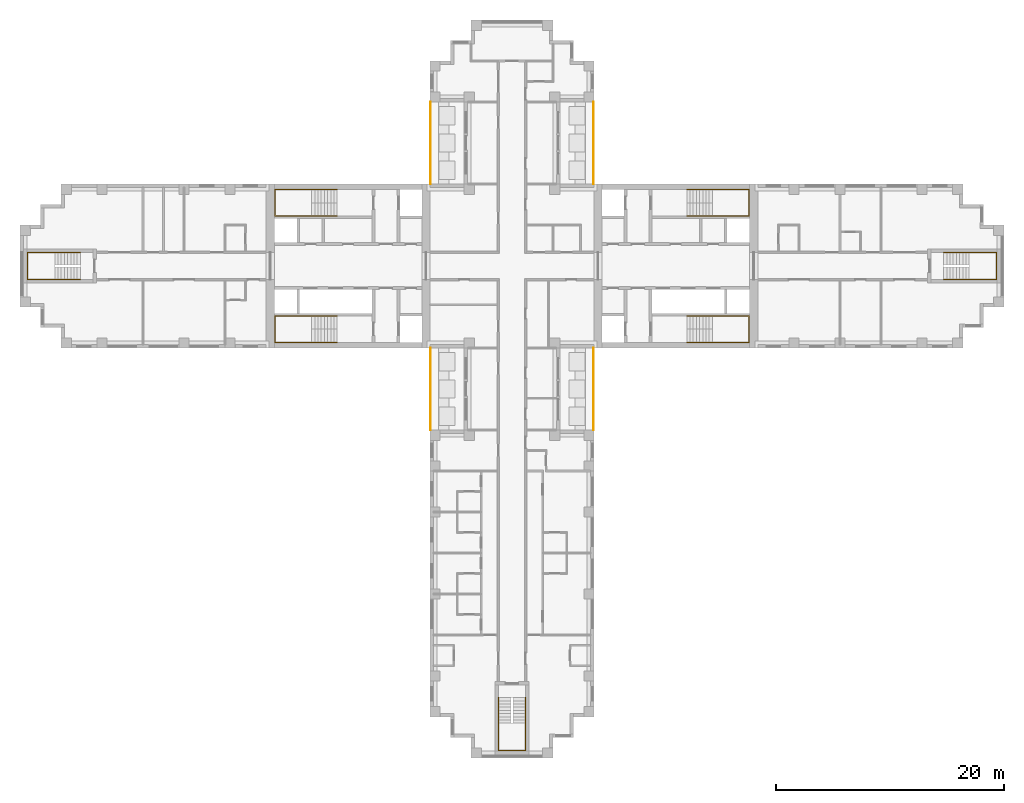
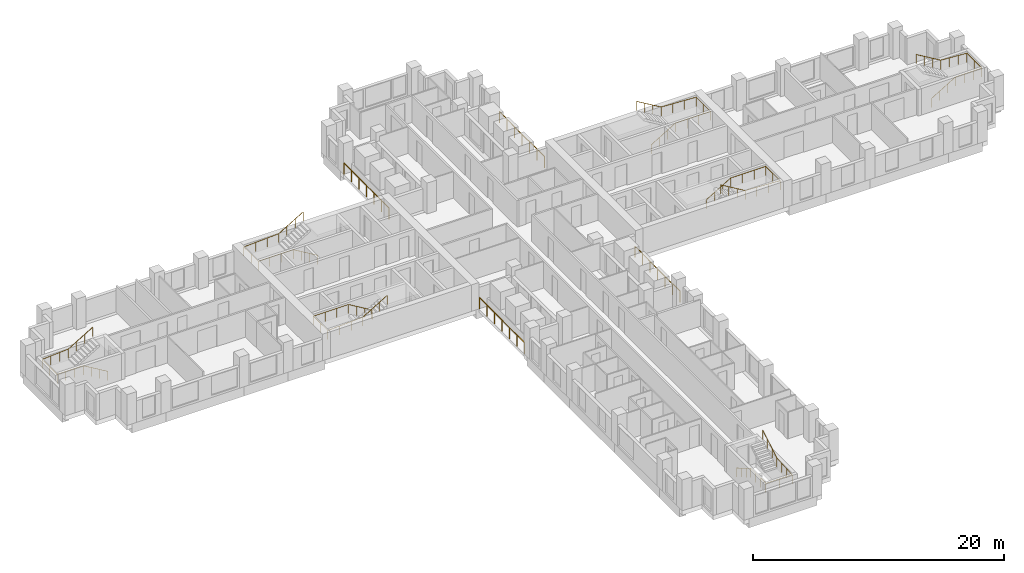
# One storey, part 12 of 13: 11 railings.
"""IFC4 building model written with IfcOpenShell, lengths in metres."""

from ifc_helpers import new_model, si_unit, direction, frame, origin, origin_2d, place, context, subcontext, project, spatial, circle, extrude, material, type_object, element, save


model = new_model("IFC4")

# Units and contexts
model_context = context("Model", 3, precision=1e-05, world=origin(), true_north=direction((0.0, 1.0)))
body_context = subcontext(model_context, "Body", "Model", "MODEL_VIEW")
ifc_project = project(units=[si_unit("LENGTHUNIT", "METRE"), si_unit("AREAUNIT", "SQUARE_METRE"), si_unit("VOLUMEUNIT", "CUBIC_METRE"), si_unit("PLANEANGLEUNIT", "RADIAN"), si_unit("MASSUNIT", "GRAM", prefix="KILO")], contexts=[model_context])

# Site, building, storey
site_placement = place(None, origin())
site = spatial("IfcSite", under=ifc_project, at=site_placement, CompositionType="ELEMENT")
building_placement = place(site_placement, origin())
building = spatial("IfcBuilding", under=site, at=building_placement, Name="Fustian Cross Tower", CompositionType="ELEMENT")
storey_placement = place(building_placement, frame((0.0, 0.0, 84.89990234375)))
storey = spatial("IfcBuildingStorey", under=building, at=storey_placement, Name="L26", CompositionType="ELEMENT", Elevation=84.89990234375)

# Railings
ifc_material_1 = material(Name="Stainless steel and glass", Category="steel")
railing_type_1 = type_object("IfcRailingType", Name="GR1 BALCONY GUARD 1100", PredefinedType="GUARDRAIL", material=ifc_material_1)
for number, where, name in (
    (1, (7.14990234375, 7.199951171875, 0.0), "Balcony guard"),
    (2, (-7.14990234375, 7.199951171875, 0.0), "Balcony guard"),
    (3, (7.14990234375, -14.39990234375, 0.0), "Balcony guard"),
    (4, (-7.14990234375, -14.39990234375, 0.0), "Balcony guard"),
):
    element("IfcRailing", number, at=place(storey_placement, frame(where)), inside=storey, type_object=railing_type_1, Name=name, PredefinedType="GUARDRAIL", context=body_context, shape_type="SweptSolid", body=[
        extrude(circle(Radius=0.02392578125, at=origin_2d()), frame((0.0, 0.0, 1.076171875), z_axis=(0.0, 1.0, 0.0), x_axis=(-1.0, 0.0, 0.0)), (0.0, 0.0, 1.0), 7.199951171875),
        extrude(circle(Radius=0.02099609375, at=origin_2d()), origin(), (0.0, 0.0, 1.0), 1.052001953125),
        extrude(circle(Radius=0.02099609375, at=origin_2d()), frame((0.0, 1.199951171875, 0.0)), (0.0, 0.0, 1.0), 1.052001953125),
        extrude(circle(Radius=0.02099609375, at=origin_2d()), frame((0.0, 2.39990234375, 0.0)), (0.0, 0.0, 1.0), 1.052001953125),
        extrude(circle(Radius=0.02099609375, at=origin_2d()), frame((0.0, 3.60009765625, 0.0)), (0.0, 0.0, 1.0), 1.052001953125),
        extrude(circle(Radius=0.02099609375, at=origin_2d()), frame((0.0, 4.800048828125, 0.0)), (0.0, 0.0, 1.0), 1.052001953125),
        extrude(circle(Radius=0.02099609375, at=origin_2d()), frame((0.0, 6.0, 0.0)), (0.0, 0.0, 1.0), 1.052001953125),
        extrude(circle(Radius=0.02099609375, at=origin_2d()), frame((0.0, 7.199951171875, 0.0)), (0.0, 0.0, 1.0), 1.052001953125),
    ])
ifc_material_2 = material(Name="Stainless steel", Category="steel")
railing_type_2 = type_object("IfcRailingType", Name="STAIR HANDRAIL", PredefinedType="HANDRAIL", material=ifc_material_2)
railing_1_placement = place(storey_placement, frame((15.35009765625, 4.39990234375, 0.166748046875)))
element("IfcRailing", 5, at=railing_1_placement, inside=storey, type_object=railing_type_2, Name="Stair ST1 handrail 1", PredefinedType="HANDRAIL", context=body_context, shape_type="SweptSolid", body=[
    extrude(circle(Radius=0.02490234375, at=origin_2d()), frame((0.0, 0.0, 0.875), z_axis=(0.859305625298, 0.0, 0.511462454469), x_axis=(0.0, 1.0, 0.0)), (0.0, 0.0, 1.0), 2.606689453125),
    extrude(circle(Radius=0.02490234375, at=origin_2d()), frame((2.239990234375, 0.0, 2.2080078125), z_axis=(1.0, 0.0, 0.0), x_axis=(0.0, 1.0, 0.0)), (0.0, 0.0, 1.0), 3.219970703125),
    extrude(circle(Radius=0.02490234375, at=origin_2d()), frame((5.4599609375, 0.0, 2.2080078125), z_axis=(0.0, 1.0, 0.0), x_axis=(-1.0, 0.0, 0.0)), (0.0, 0.0, 1.0), 2.300048828125),
    extrude(circle(Radius=0.02490234375, at=origin_2d()), frame((5.4599609375, 2.300048828125, 2.2080078125), z_axis=(-0.998661817807, 0.0, 0.051716280352), x_axis=(0.0, -1.0, 0.0)), (0.0, 0.0, 1.0), 3.224365234375),
    extrude(circle(Radius=0.02490234375, at=origin_2d()), frame((2.239990234375, 2.300048828125, 2.375), z_axis=(-0.859305625298, 0.0, 0.511462454469), x_axis=(0.0, -1.0, 0.0)), (0.0, 0.0, 1.0), 2.606689453125),
    extrude(circle(Radius=0.02001953125, at=origin_2d()), origin(), (0.0, 0.0, 1.0), 0.849853515625),
    extrude(circle(Radius=0.02001953125, at=origin_2d()), frame((0.74658203125, 0.0, 0.4443359375)), (0.0, 0.0, 1.0), 0.849853515625),
    extrude(circle(Radius=0.02001953125, at=origin_2d()), frame((1.493408203125, 0.0, 0.888916015625)), (0.0, 0.0, 1.0), 0.849853515625),
    extrude(circle(Radius=0.02001953125, at=origin_2d()), frame((2.239990234375, 0.0, 1.333251953125)), (0.0, 0.0, 1.0), 0.849853515625),
    extrude(circle(Radius=0.02001953125, at=origin_2d()), frame((3.313232421875, 0.0, 1.333251953125)), (0.0, 0.0, 1.0), 0.849853515625),
    extrude(circle(Radius=0.02001953125, at=origin_2d()), frame((4.38671875, 0.0, 1.333251953125)), (0.0, 0.0, 1.0), 0.849853515625),
    extrude(circle(Radius=0.02001953125, at=origin_2d()), frame((5.4599609375, 0.0, 1.333251953125)), (0.0, 0.0, 1.0), 0.849853515625),
    extrude(circle(Radius=0.02001953125, at=origin_2d()), frame((5.4599609375, 1.14990234375, 1.333251953125)), (0.0, 0.0, 1.0), 0.849853515625),
    extrude(circle(Radius=0.02001953125, at=origin_2d()), frame((5.4599609375, 2.300048828125, 1.333251953125)), (0.0, 0.0, 1.0), 0.849853515625),
    extrude(circle(Radius=0.02001953125, at=origin_2d()), frame((4.38671875, 2.300048828125, 1.388916015625)), (0.0, 0.0, 1.0), 0.849853515625),
    extrude(circle(Radius=0.02001953125, at=origin_2d()), frame((3.313232421875, 2.300048828125, 1.4443359375)), (0.0, 0.0, 1.0), 0.849853515625),
    extrude(circle(Radius=0.02001953125, at=origin_2d()), frame((2.239990234375, 2.300048828125, 1.5)), (0.0, 0.0, 1.0), 0.849853515625),
    extrude(circle(Radius=0.02001953125, at=origin_2d()), frame((1.493408203125, 2.300048828125, 1.9443359375)), (0.0, 0.0, 1.0), 0.849853515625),
    extrude(circle(Radius=0.02001953125, at=origin_2d()), frame((0.74658203125, 2.300048828125, 2.388916015625)), (0.0, 0.0, 1.0), 0.849853515625),
    extrude(circle(Radius=0.02001953125, at=origin_2d()), frame((0.0, 2.300048828125, 2.833251953125)), (0.0, 0.0, 1.0), 0.849853515625),
])
railing_2_placement = place(storey_placement, frame((15.35009765625, -4.39990234375, 0.166748046875)))
element("IfcRailing", 6, at=railing_2_placement, inside=storey, type_object=railing_type_2, Name="Stair ST2 handrail 1", PredefinedType="HANDRAIL", context=body_context, shape_type="SweptSolid", body=[
    extrude(circle(Radius=0.02490234375, at=origin_2d()), frame((0.0, 0.0, 0.875), z_axis=(0.859305625298, 0.0, 0.511462454469), x_axis=(0.0, 1.0, 0.0)), (0.0, 0.0, 1.0), 2.606689453125),
    extrude(circle(Radius=0.02490234375, at=origin_2d()), frame((2.239990234375, 0.0, 2.2080078125), z_axis=(1.0, 0.0, 0.0), x_axis=(0.0, 1.0, 0.0)), (0.0, 0.0, 1.0), 3.219970703125),
    extrude(circle(Radius=0.02490234375, at=origin_2d()), frame((5.4599609375, 0.0, 2.2080078125), z_axis=(0.0, -1.0, 0.0), x_axis=(1.0, 0.0, 0.0)), (0.0, 0.0, 1.0), 2.300048828125),
    extrude(circle(Radius=0.02490234375, at=origin_2d()), frame((5.4599609375, -2.300048828125, 2.2080078125), z_axis=(-0.998661817807, 0.0, 0.051716280352), x_axis=(0.0, -1.0, 0.0)), (0.0, 0.0, 1.0), 3.224365234375),
    extrude(circle(Radius=0.02490234375, at=origin_2d()), frame((2.239990234375, -2.300048828125, 2.375), z_axis=(-0.859305625298, 0.0, 0.511462454469), x_axis=(0.0, -1.0, 0.0)), (0.0, 0.0, 1.0), 2.606689453125),
    extrude(circle(Radius=0.02001953125, at=origin_2d()), origin(), (0.0, 0.0, 1.0), 0.849853515625),
    extrude(circle(Radius=0.02001953125, at=origin_2d()), frame((0.74658203125, 0.0, 0.4443359375)), (0.0, 0.0, 1.0), 0.849853515625),
    extrude(circle(Radius=0.02001953125, at=origin_2d()), frame((1.493408203125, 0.0, 0.888916015625)), (0.0, 0.0, 1.0), 0.849853515625),
    extrude(circle(Radius=0.02001953125, at=origin_2d()), frame((2.239990234375, 0.0, 1.333251953125)), (0.0, 0.0, 1.0), 0.849853515625),
    extrude(circle(Radius=0.02001953125, at=origin_2d()), frame((3.313232421875, 0.0, 1.333251953125)), (0.0, 0.0, 1.0), 0.849853515625),
    extrude(circle(Radius=0.02001953125, at=origin_2d()), frame((4.38671875, 0.0, 1.333251953125)), (0.0, 0.0, 1.0), 0.849853515625),
    extrude(circle(Radius=0.02001953125, at=origin_2d()), frame((5.4599609375, 0.0, 1.333251953125)), (0.0, 0.0, 1.0), 0.849853515625),
    extrude(circle(Radius=0.02001953125, at=origin_2d()), frame((5.4599609375, -1.14990234375, 1.333251953125)), (0.0, 0.0, 1.0), 0.849853515625),
    extrude(circle(Radius=0.02001953125, at=origin_2d()), frame((5.4599609375, -2.300048828125, 1.333251953125)), (0.0, 0.0, 1.0), 0.849853515625),
    extrude(circle(Radius=0.02001953125, at=origin_2d()), frame((4.38671875, -2.300048828125, 1.388916015625)), (0.0, 0.0, 1.0), 0.849853515625),
    extrude(circle(Radius=0.02001953125, at=origin_2d()), frame((3.313232421875, -2.300048828125, 1.4443359375)), (0.0, 0.0, 1.0), 0.849853515625),
    extrude(circle(Radius=0.02001953125, at=origin_2d()), frame((2.239990234375, -2.300048828125, 1.5)), (0.0, 0.0, 1.0), 0.849853515625),
    extrude(circle(Radius=0.02001953125, at=origin_2d()), frame((1.493408203125, -2.300048828125, 1.9443359375)), (0.0, 0.0, 1.0), 0.849853515625),
    extrude(circle(Radius=0.02001953125, at=origin_2d()), frame((0.74658203125, -2.300048828125, 2.388916015625)), (0.0, 0.0, 1.0), 0.849853515625),
    extrude(circle(Radius=0.02001953125, at=origin_2d()), frame((0.0, -2.300048828125, 2.833251953125)), (0.0, 0.0, 1.0), 0.849853515625),
])
railing_3_placement = place(storey_placement, frame((-15.35009765625, 4.39990234375, 0.166748046875)))
element("IfcRailing", 7, at=railing_3_placement, inside=storey, type_object=railing_type_2, Name="Stair ST3 handrail 1", PredefinedType="HANDRAIL", context=body_context, shape_type="SweptSolid", body=[
    extrude(circle(Radius=0.02490234375, at=origin_2d()), frame((0.0, 0.0, 0.875), z_axis=(-0.859305625298, 0.0, 0.511462454469), x_axis=(0.0, -1.0, 0.0)), (0.0, 0.0, 1.0), 2.606689453125),
    extrude(circle(Radius=0.02490234375, at=origin_2d()), frame((-2.239990234375, 0.0, 2.2080078125), z_axis=(-1.0, 0.0, 0.0), x_axis=(0.0, -1.0, 0.0)), (0.0, 0.0, 1.0), 3.219970703125),
    extrude(circle(Radius=0.02490234375, at=origin_2d()), frame((-5.4599609375, 0.0, 2.2080078125), z_axis=(0.0, 1.0, 0.0), x_axis=(-1.0, 0.0, 0.0)), (0.0, 0.0, 1.0), 2.300048828125),
    extrude(circle(Radius=0.02490234375, at=origin_2d()), frame((-5.4599609375, 2.300048828125, 2.2080078125), z_axis=(0.998661817807, 0.0, 0.051716280352), x_axis=(0.0, 1.0, 0.0)), (0.0, 0.0, 1.0), 3.224365234375),
    extrude(circle(Radius=0.02490234375, at=origin_2d()), frame((-2.239990234375, 2.300048828125, 2.375), z_axis=(0.859305625298, 0.0, 0.511462454469), x_axis=(0.0, 1.0, 0.0)), (0.0, 0.0, 1.0), 2.606689453125),
    extrude(circle(Radius=0.02001953125, at=origin_2d()), origin(), (0.0, 0.0, 1.0), 0.849853515625),
    extrude(circle(Radius=0.02001953125, at=origin_2d()), frame((-0.74658203125, 0.0, 0.4443359375)), (0.0, 0.0, 1.0), 0.849853515625),
    extrude(circle(Radius=0.02001953125, at=origin_2d()), frame((-1.493408203125, 0.0, 0.888916015625)), (0.0, 0.0, 1.0), 0.849853515625),
    extrude(circle(Radius=0.02001953125, at=origin_2d()), frame((-2.239990234375, 0.0, 1.333251953125)), (0.0, 0.0, 1.0), 0.849853515625),
    extrude(circle(Radius=0.02001953125, at=origin_2d()), frame((-3.313232421875, 0.0, 1.333251953125)), (0.0, 0.0, 1.0), 0.849853515625),
    extrude(circle(Radius=0.02001953125, at=origin_2d()), frame((-4.38671875, 0.0, 1.333251953125)), (0.0, 0.0, 1.0), 0.849853515625),
    extrude(circle(Radius=0.02001953125, at=origin_2d()), frame((-5.4599609375, 0.0, 1.333251953125)), (0.0, 0.0, 1.0), 0.849853515625),
    extrude(circle(Radius=0.02001953125, at=origin_2d()), frame((-5.4599609375, 1.14990234375, 1.333251953125)), (0.0, 0.0, 1.0), 0.849853515625),
    extrude(circle(Radius=0.02001953125, at=origin_2d()), frame((-5.4599609375, 2.300048828125, 1.333251953125)), (0.0, 0.0, 1.0), 0.849853515625),
    extrude(circle(Radius=0.02001953125, at=origin_2d()), frame((-4.38671875, 2.300048828125, 1.388916015625)), (0.0, 0.0, 1.0), 0.849853515625),
    extrude(circle(Radius=0.02001953125, at=origin_2d()), frame((-3.313232421875, 2.300048828125, 1.4443359375)), (0.0, 0.0, 1.0), 0.849853515625),
    extrude(circle(Radius=0.02001953125, at=origin_2d()), frame((-2.239990234375, 2.300048828125, 1.5)), (0.0, 0.0, 1.0), 0.849853515625),
    extrude(circle(Radius=0.02001953125, at=origin_2d()), frame((-1.493408203125, 2.300048828125, 1.9443359375)), (0.0, 0.0, 1.0), 0.849853515625),
    extrude(circle(Radius=0.02001953125, at=origin_2d()), frame((-0.74658203125, 2.300048828125, 2.388916015625)), (0.0, 0.0, 1.0), 0.849853515625),
    extrude(circle(Radius=0.02001953125, at=origin_2d()), frame((0.0, 2.300048828125, 2.833251953125)), (0.0, 0.0, 1.0), 0.849853515625),
])
railing_4_placement = place(storey_placement, frame((-15.35009765625, -4.39990234375, 0.166748046875)))
element("IfcRailing", 8, at=railing_4_placement, inside=storey, type_object=railing_type_2, Name="Stair ST4 handrail 1", PredefinedType="HANDRAIL", context=body_context, shape_type="SweptSolid", body=[
    extrude(circle(Radius=0.02490234375, at=origin_2d()), frame((0.0, 0.0, 0.875), z_axis=(-0.859305625298, 0.0, 0.511462454469), x_axis=(0.0, -1.0, 0.0)), (0.0, 0.0, 1.0), 2.606689453125),
    extrude(circle(Radius=0.02490234375, at=origin_2d()), frame((-2.239990234375, 0.0, 2.2080078125), z_axis=(-1.0, 0.0, 0.0), x_axis=(0.0, -1.0, 0.0)), (0.0, 0.0, 1.0), 3.219970703125),
    extrude(circle(Radius=0.02490234375, at=origin_2d()), frame((-5.4599609375, 0.0, 2.2080078125), z_axis=(0.0, -1.0, 0.0), x_axis=(1.0, 0.0, 0.0)), (0.0, 0.0, 1.0), 2.300048828125),
    extrude(circle(Radius=0.02490234375, at=origin_2d()), frame((-5.4599609375, -2.300048828125, 2.2080078125), z_axis=(0.998661817807, 0.0, 0.051716280352), x_axis=(0.0, 1.0, 0.0)), (0.0, 0.0, 1.0), 3.224365234375),
    extrude(circle(Radius=0.02490234375, at=origin_2d()), frame((-2.239990234375, -2.300048828125, 2.375), z_axis=(0.859305625298, 0.0, 0.511462454469), x_axis=(0.0, 1.0, 0.0)), (0.0, 0.0, 1.0), 2.606689453125),
    extrude(circle(Radius=0.02001953125, at=origin_2d()), origin(), (0.0, 0.0, 1.0), 0.849853515625),
    extrude(circle(Radius=0.02001953125, at=origin_2d()), frame((-0.74658203125, 0.0, 0.4443359375)), (0.0, 0.0, 1.0), 0.849853515625),
    extrude(circle(Radius=0.02001953125, at=origin_2d()), frame((-1.493408203125, 0.0, 0.888916015625)), (0.0, 0.0, 1.0), 0.849853515625),
    extrude(circle(Radius=0.02001953125, at=origin_2d()), frame((-2.239990234375, 0.0, 1.333251953125)), (0.0, 0.0, 1.0), 0.849853515625),
    extrude(circle(Radius=0.02001953125, at=origin_2d()), frame((-3.313232421875, 0.0, 1.333251953125)), (0.0, 0.0, 1.0), 0.849853515625),
    extrude(circle(Radius=0.02001953125, at=origin_2d()), frame((-4.38671875, 0.0, 1.333251953125)), (0.0, 0.0, 1.0), 0.849853515625),
    extrude(circle(Radius=0.02001953125, at=origin_2d()), frame((-5.4599609375, 0.0, 1.333251953125)), (0.0, 0.0, 1.0), 0.849853515625),
    extrude(circle(Radius=0.02001953125, at=origin_2d()), frame((-5.4599609375, -1.14990234375, 1.333251953125)), (0.0, 0.0, 1.0), 0.849853515625),
    extrude(circle(Radius=0.02001953125, at=origin_2d()), frame((-5.4599609375, -2.300048828125, 1.333251953125)), (0.0, 0.0, 1.0), 0.849853515625),
    extrude(circle(Radius=0.02001953125, at=origin_2d()), frame((-4.38671875, -2.300048828125, 1.388916015625)), (0.0, 0.0, 1.0), 0.849853515625),
    extrude(circle(Radius=0.02001953125, at=origin_2d()), frame((-3.313232421875, -2.300048828125, 1.4443359375)), (0.0, 0.0, 1.0), 0.849853515625),
    extrude(circle(Radius=0.02001953125, at=origin_2d()), frame((-2.239990234375, -2.300048828125, 1.5)), (0.0, 0.0, 1.0), 0.849853515625),
    extrude(circle(Radius=0.02001953125, at=origin_2d()), frame((-1.493408203125, -2.300048828125, 1.9443359375)), (0.0, 0.0, 1.0), 0.849853515625),
    extrude(circle(Radius=0.02001953125, at=origin_2d()), frame((-0.74658203125, -2.300048828125, 2.388916015625)), (0.0, 0.0, 1.0), 0.849853515625),
    extrude(circle(Radius=0.02001953125, at=origin_2d()), frame((0.0, -2.300048828125, 2.833251953125)), (0.0, 0.0, 1.0), 0.849853515625),
])
railing_5_placement = place(storey_placement, frame((-1.199951171875, -37.89990234375, 0.166748046875)))
element("IfcRailing", 9, at=railing_5_placement, inside=storey, type_object=railing_type_2, Name="Stair ST6 handrail 1", PredefinedType="HANDRAIL", context=body_context, shape_type="SweptSolid", body=[
    extrude(circle(Radius=0.02490234375, at=origin_2d()), frame((0.0, 0.0, 0.875), z_axis=(0.0, -0.859305625298, 0.511462454469), x_axis=(1.0, 0.0, 0.0)), (0.0, 0.0, 1.0), 2.606689453125),
    extrude(circle(Radius=0.02490234375, at=origin_2d()), frame((0.0, -2.239990234375, 2.2080078125), z_axis=(0.0, -1.0, 0.0), x_axis=(1.0, 0.0, 0.0)), (0.0, 0.0, 1.0), 2.420166015625),
    extrude(circle(Radius=0.02490234375, at=origin_2d()), frame((0.0, -4.66015625, 2.2080078125), z_axis=(1.0, 0.0, 0.0), x_axis=(0.0, 1.0, 0.0)), (0.0, 0.0, 1.0), 2.39990234375),
    extrude(circle(Radius=0.02490234375, at=origin_2d()), frame((2.39990234375, -4.66015625, 2.2080078125), z_axis=(0.0, 0.997634852044, 0.068736467663), x_axis=(-1.0, 0.0, 0.0)), (0.0, 0.0, 1.0), 2.426025390625),
    extrude(circle(Radius=0.02490234375, at=origin_2d()), frame((2.39990234375, -2.239990234375, 2.375), z_axis=(0.0, 0.859305625298, 0.511462454469), x_axis=(-1.0, 0.0, 0.0)), (0.0, 0.0, 1.0), 2.606689453125),
    extrude(circle(Radius=0.02001953125, at=origin_2d()), origin(), (0.0, 0.0, 1.0), 0.849853515625),
    extrude(circle(Radius=0.02001953125, at=origin_2d()), frame((0.0, -0.74658203125, 0.4443359375)), (0.0, 0.0, 1.0), 0.849853515625),
    extrude(circle(Radius=0.02001953125, at=origin_2d()), frame((0.0, -1.493408203125, 0.888916015625)), (0.0, 0.0, 1.0), 0.849853515625),
    extrude(circle(Radius=0.02001953125, at=origin_2d()), frame((0.0, -2.239990234375, 1.333251953125)), (0.0, 0.0, 1.0), 0.849853515625),
    extrude(circle(Radius=0.02001953125, at=origin_2d()), frame((0.0, -3.046630859375, 1.333251953125)), (0.0, 0.0, 1.0), 0.849853515625),
    extrude(circle(Radius=0.02001953125, at=origin_2d()), frame((0.0, -3.853515625, 1.333251953125)), (0.0, 0.0, 1.0), 0.849853515625),
    extrude(circle(Radius=0.02001953125, at=origin_2d()), frame((0.0, -4.66015625, 1.333251953125)), (0.0, 0.0, 1.0), 0.849853515625),
    extrude(circle(Radius=0.02001953125, at=origin_2d()), frame((1.199951171875, -4.66015625, 1.333251953125)), (0.0, 0.0, 1.0), 0.849853515625),
    extrude(circle(Radius=0.02001953125, at=origin_2d()), frame((2.39990234375, -4.66015625, 1.333251953125)), (0.0, 0.0, 1.0), 0.849853515625),
    extrude(circle(Radius=0.02001953125, at=origin_2d()), frame((2.39990234375, -3.853515625, 1.388916015625)), (0.0, 0.0, 1.0), 0.849853515625),
    extrude(circle(Radius=0.02001953125, at=origin_2d()), frame((2.39990234375, -3.046630859375, 1.4443359375)), (0.0, 0.0, 1.0), 0.849853515625),
    extrude(circle(Radius=0.02001953125, at=origin_2d()), frame((2.39990234375, -2.239990234375, 1.5)), (0.0, 0.0, 1.0), 0.849853515625),
    extrude(circle(Radius=0.02001953125, at=origin_2d()), frame((2.39990234375, -1.493408203125, 1.9443359375)), (0.0, 0.0, 1.0), 0.849853515625),
    extrude(circle(Radius=0.02001953125, at=origin_2d()), frame((2.39990234375, -0.74658203125, 2.388916015625)), (0.0, 0.0, 1.0), 0.849853515625),
    extrude(circle(Radius=0.02001953125, at=origin_2d()), frame((2.39990234375, 0.0, 2.833251953125)), (0.0, 0.0, 1.0), 0.849853515625),
])
railing_6_placement = place(storey_placement, frame((37.89990234375, -1.199951171875, 0.166748046875)))
element("IfcRailing", 10, at=railing_6_placement, inside=storey, type_object=railing_type_2, Name="Stair ST8 handrail 1", PredefinedType="HANDRAIL", context=body_context, shape_type="SweptSolid", body=[
    extrude(circle(Radius=0.02490234375, at=origin_2d()), frame((0.0, 0.0, 0.875), z_axis=(0.859305625298, 0.0, 0.511462454469), x_axis=(0.0, 1.0, 0.0)), (0.0, 0.0, 1.0), 2.606689453125),
    extrude(circle(Radius=0.02490234375, at=origin_2d()), frame((2.239990234375, 0.0, 2.2080078125), z_axis=(1.0, 0.0, 0.0), x_axis=(0.0, 1.0, 0.0)), (0.0, 0.0, 1.0), 2.420166015625),
    extrude(circle(Radius=0.02490234375, at=origin_2d()), frame((4.66015625, 0.0, 2.2080078125), z_axis=(0.0, 1.0, 0.0), x_axis=(-1.0, 0.0, 0.0)), (0.0, 0.0, 1.0), 2.39990234375),
    extrude(circle(Radius=0.02490234375, at=origin_2d()), frame((4.66015625, 2.39990234375, 2.2080078125), z_axis=(-0.997634852044, 0.0, 0.068736467663), x_axis=(0.0, -1.0, 0.0)), (0.0, 0.0, 1.0), 2.426025390625),
    extrude(circle(Radius=0.02490234375, at=origin_2d()), frame((2.239990234375, 2.39990234375, 2.375), z_axis=(-0.859305625298, 0.0, 0.511462454469), x_axis=(0.0, -1.0, 0.0)), (0.0, 0.0, 1.0), 2.606689453125),
    extrude(circle(Radius=0.02001953125, at=origin_2d()), origin(), (0.0, 0.0, 1.0), 0.849853515625),
    extrude(circle(Radius=0.02001953125, at=origin_2d()), frame((0.74658203125, 0.0, 0.4443359375)), (0.0, 0.0, 1.0), 0.849853515625),
    extrude(circle(Radius=0.02001953125, at=origin_2d()), frame((1.493408203125, 0.0, 0.888916015625)), (0.0, 0.0, 1.0), 0.849853515625),
    extrude(circle(Radius=0.02001953125, at=origin_2d()), frame((2.239990234375, 0.0, 1.333251953125)), (0.0, 0.0, 1.0), 0.849853515625),
    extrude(circle(Radius=0.02001953125, at=origin_2d()), frame((3.046630859375, 0.0, 1.333251953125)), (0.0, 0.0, 1.0), 0.849853515625),
    extrude(circle(Radius=0.02001953125, at=origin_2d()), frame((3.853515625, 0.0, 1.333251953125)), (0.0, 0.0, 1.0), 0.849853515625),
    extrude(circle(Radius=0.02001953125, at=origin_2d()), frame((4.66015625, 0.0, 1.333251953125)), (0.0, 0.0, 1.0), 0.849853515625),
    extrude(circle(Radius=0.02001953125, at=origin_2d()), frame((4.66015625, 1.199951171875, 1.333251953125)), (0.0, 0.0, 1.0), 0.849853515625),
    extrude(circle(Radius=0.02001953125, at=origin_2d()), frame((4.66015625, 2.39990234375, 1.333251953125)), (0.0, 0.0, 1.0), 0.849853515625),
    extrude(circle(Radius=0.02001953125, at=origin_2d()), frame((3.853515625, 2.39990234375, 1.388916015625)), (0.0, 0.0, 1.0), 0.849853515625),
    extrude(circle(Radius=0.02001953125, at=origin_2d()), frame((3.046630859375, 2.39990234375, 1.4443359375)), (0.0, 0.0, 1.0), 0.849853515625),
    extrude(circle(Radius=0.02001953125, at=origin_2d()), frame((2.239990234375, 2.39990234375, 1.5)), (0.0, 0.0, 1.0), 0.849853515625),
    extrude(circle(Radius=0.02001953125, at=origin_2d()), frame((1.493408203125, 2.39990234375, 1.9443359375)), (0.0, 0.0, 1.0), 0.849853515625),
    extrude(circle(Radius=0.02001953125, at=origin_2d()), frame((0.74658203125, 2.39990234375, 2.388916015625)), (0.0, 0.0, 1.0), 0.849853515625),
    extrude(circle(Radius=0.02001953125, at=origin_2d()), frame((0.0, 2.39990234375, 2.833251953125)), (0.0, 0.0, 1.0), 0.849853515625),
])
railing_7_placement = place(storey_placement, frame((-37.89990234375, -1.199951171875, 0.166748046875)))
element("IfcRailing", 11, at=railing_7_placement, inside=storey, type_object=railing_type_2, Name="Stair ST9 handrail 1", PredefinedType="HANDRAIL", context=body_context, shape_type="SweptSolid", body=[
    extrude(circle(Radius=0.02490234375, at=origin_2d()), frame((0.0, 0.0, 0.875), z_axis=(-0.859305625298, 0.0, 0.511462454469), x_axis=(0.0, -1.0, 0.0)), (0.0, 0.0, 1.0), 2.606689453125),
    extrude(circle(Radius=0.02490234375, at=origin_2d()), frame((-2.239990234375, 0.0, 2.2080078125), z_axis=(-1.0, 0.0, 0.0), x_axis=(0.0, -1.0, 0.0)), (0.0, 0.0, 1.0), 2.420166015625),
    extrude(circle(Radius=0.02490234375, at=origin_2d()), frame((-4.66015625, 0.0, 2.2080078125), z_axis=(0.0, 1.0, 0.0), x_axis=(-1.0, 0.0, 0.0)), (0.0, 0.0, 1.0), 2.39990234375),
    extrude(circle(Radius=0.02490234375, at=origin_2d()), frame((-4.66015625, 2.39990234375, 2.2080078125), z_axis=(0.997634852044, 0.0, 0.068736467663), x_axis=(0.0, 1.0, 0.0)), (0.0, 0.0, 1.0), 2.426025390625),
    extrude(circle(Radius=0.02490234375, at=origin_2d()), frame((-2.239990234375, 2.39990234375, 2.375), z_axis=(0.859305625298, 0.0, 0.511462454469), x_axis=(0.0, 1.0, 0.0)), (0.0, 0.0, 1.0), 2.606689453125),
    extrude(circle(Radius=0.02001953125, at=origin_2d()), origin(), (0.0, 0.0, 1.0), 0.849853515625),
    extrude(circle(Radius=0.02001953125, at=origin_2d()), frame((-0.74658203125, 0.0, 0.4443359375)), (0.0, 0.0, 1.0), 0.849853515625),
    extrude(circle(Radius=0.02001953125, at=origin_2d()), frame((-1.493408203125, 0.0, 0.888916015625)), (0.0, 0.0, 1.0), 0.849853515625),
    extrude(circle(Radius=0.02001953125, at=origin_2d()), frame((-2.239990234375, 0.0, 1.333251953125)), (0.0, 0.0, 1.0), 0.849853515625),
    extrude(circle(Radius=0.02001953125, at=origin_2d()), frame((-3.046630859375, 0.0, 1.333251953125)), (0.0, 0.0, 1.0), 0.849853515625),
    extrude(circle(Radius=0.02001953125, at=origin_2d()), frame((-3.853515625, 0.0, 1.333251953125)), (0.0, 0.0, 1.0), 0.849853515625),
    extrude(circle(Radius=0.02001953125, at=origin_2d()), frame((-4.66015625, 0.0, 1.333251953125)), (0.0, 0.0, 1.0), 0.849853515625),
    extrude(circle(Radius=0.02001953125, at=origin_2d()), frame((-4.66015625, 1.199951171875, 1.333251953125)), (0.0, 0.0, 1.0), 0.849853515625),
    extrude(circle(Radius=0.02001953125, at=origin_2d()), frame((-4.66015625, 2.39990234375, 1.333251953125)), (0.0, 0.0, 1.0), 0.849853515625),
    extrude(circle(Radius=0.02001953125, at=origin_2d()), frame((-3.853515625, 2.39990234375, 1.388916015625)), (0.0, 0.0, 1.0), 0.849853515625),
    extrude(circle(Radius=0.02001953125, at=origin_2d()), frame((-3.046630859375, 2.39990234375, 1.4443359375)), (0.0, 0.0, 1.0), 0.849853515625),
    extrude(circle(Radius=0.02001953125, at=origin_2d()), frame((-2.239990234375, 2.39990234375, 1.5)), (0.0, 0.0, 1.0), 0.849853515625),
    extrude(circle(Radius=0.02001953125, at=origin_2d()), frame((-1.493408203125, 2.39990234375, 1.9443359375)), (0.0, 0.0, 1.0), 0.849853515625),
    extrude(circle(Radius=0.02001953125, at=origin_2d()), frame((-0.74658203125, 2.39990234375, 2.388916015625)), (0.0, 0.0, 1.0), 0.849853515625),
    extrude(circle(Radius=0.02001953125, at=origin_2d()), frame((0.0, 2.39990234375, 2.833251953125)), (0.0, 0.0, 1.0), 0.849853515625),
])

save(model, "model.ifc")
